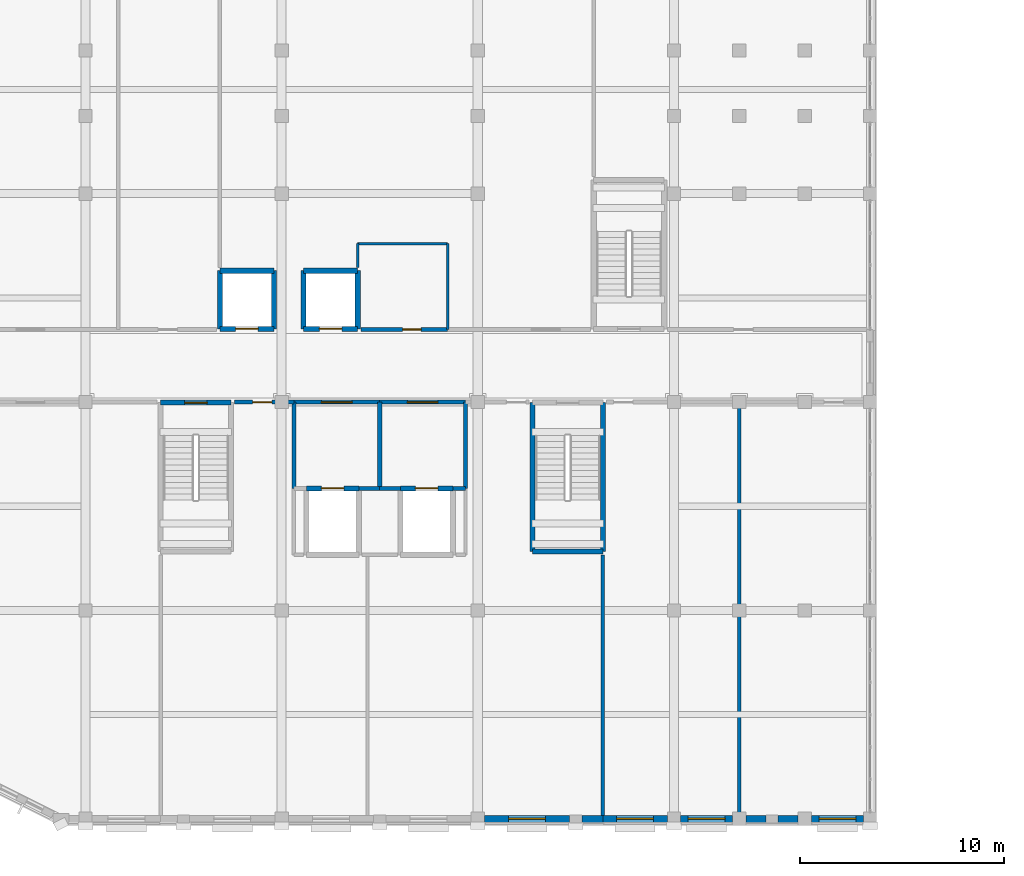
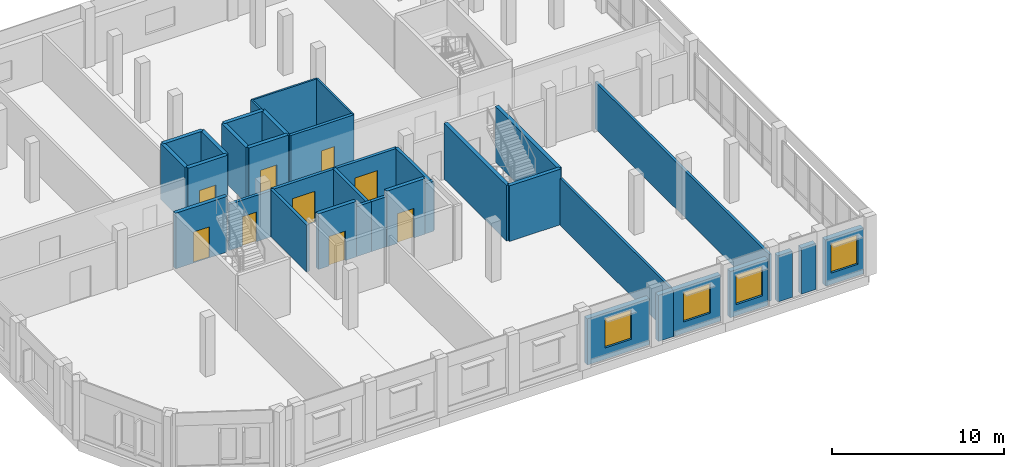
# One storey, part 178 of 200: 36 walls, 9 doors, 4 windows, 13 openings.
"""IFC4 building model written with IfcOpenShell, lengths in metres."""

from ifc_helpers import new_model, si_unit, direction, frame, frame_2d, origin, place, context, subcontext, project, spatial, rectangle, extrude, material, layer, layer_set, type_object, element, fill, save


model = new_model("IFC4")

# Units and contexts
model_context = context("Model", 3, precision=1e-05, world=origin(), true_north=direction((0.0, 1.0)))
body_context = subcontext(model_context, "Body", "Model", "MODEL_VIEW")
ifc_project = project(units=[si_unit("LENGTHUNIT", "METRE"), si_unit("AREAUNIT", "SQUARE_METRE"), si_unit("VOLUMEUNIT", "CUBIC_METRE"), si_unit("PLANEANGLEUNIT", "RADIAN"), si_unit("MASSUNIT", "GRAM", prefix="KILO")], contexts=[model_context])

# Site, building, storey
site_placement = place(None, origin())
site = spatial("IfcSite", under=ifc_project, at=site_placement, CompositionType="ELEMENT")
building_placement = place(site_placement, origin())
building = spatial("IfcBuilding", under=site, at=building_placement, Name="Vondelvale Polytechnic", CompositionType="ELEMENT")
storey_placement = place(building_placement, frame((0.0, 0.0, 13.800048828125)))
storey = spatial("IfcBuildingStorey", under=building, at=storey_placement, Name="L03", CompositionType="ELEMENT", Elevation=13.800048828125)

# Wall, opening, window
ifc_material_1 = material(Name="Amsterdam School iron-spot clinker clay brickwork", Category="masonry")
ifc_layer_1 = layer(ifc_material_1, 0.340087890625)
ifc_layer_set_1 = layer_set([ifc_layer_1], Name="WL-BRICK-340")
wall_type_1 = type_object("IfcWallType", Name="WL-BRICK-340", PredefinedType="SOLIDWALL", material=ifc_layer_set_1)
wall_1_placement = place(storey_placement, frame((33.299072265625, 0.0, 0.0), z_axis=(0.0, 0.0, 1.0), x_axis=(-1.0, 0.0, 0.0)))
wall_1 = element("IfcWall", 1, at=wall_1_placement, inside=storey, type_object=wall_type_1, Name="L03 exterior masonry facade wall", PredefinedType="SOLIDWALL", context=body_context, shape_type="SweptSolid", body=[
    extrude(rectangle(XDim=4.173095703125, YDim=0.340087890625, at=frame_2d((2.08642578125, 0.0))), origin(), (0.0, 0.0, 1.0), 3.280029296875),
])
opening_1_placement = place(wall_1_placement, frame((1.1865234375, 0.0, 0.800048828125)))
opening_1 = element("IfcOpeningElement", 2, at=opening_1_placement, cuts=wall_1, Name="Opening WN-0212", PredefinedType="OPENING", context=body_context, shape_type="SweptSolid", body=[
    extrude(rectangle(XDim=1.800048828125, YDim=2.10009765625, at=frame_2d((0.89990234375, 1.050048828125))), frame((0.0, 0.179931640625, 0.0), z_axis=(0.0, -1.0, 0.0), x_axis=(1.0, 0.0, 0.0)), (0.0, 0.0, 1.0), 0.360107421875),
])
ifc_material_2 = material(Name="Double-glazed low-E insulated architectural glass", Category="glass")
window_type = type_object("IfcWindowType", Name="WN-LAB-1800x2100", PartitioningType="SINGLE_PANEL", PredefinedType="WINDOW", material=ifc_material_2)
window_1_placement = place(opening_1_placement, origin())
window_1 = element("IfcWindow", 3, at=window_1_placement, inside=storey, type_object=window_type, Name="L03 double-glazed architectural window WN-0212", OverallHeight=2.10009765625, OverallWidth=1.800048828125, PartitioningType="SINGLE_PANEL", PredefinedType="WINDOW", context=body_context, shape_type="SweptSolid", body=[
    extrude(rectangle(XDim=1.800048828125, YDim=2.10009765625, at=frame_2d((0.89990234375, 1.050048828125))), frame((0.0, 0.030029296875, 0.0), z_axis=(0.0, -1.0, 0.0), x_axis=(1.0, 0.0, 0.0)), (0.0, 0.0, 1.0), 0.06005859375),
])
fill(opening_1, window_1)

# Wall
wall_2_placement = place(storey_placement, frame((34.925048828125, 0.0, 0.0), z_axis=(0.0, 0.0, 1.0), x_axis=(-1.0, 0.0, 0.0)))
element("IfcWall", 4, at=wall_2_placement, inside=storey, type_object=wall_type_1, Name="L03 exterior masonry facade wall", PredefinedType="SOLIDWALL", context=body_context, shape_type="SweptSolid", body=[
    extrude(rectangle(XDim=1.024169921875, YDim=0.340087890625, at=frame_2d((0.51220703125, 0.0))), origin(), (0.0, 0.0, 1.0), 3.280029296875),
])

# Wall, opening, window
wall_3_placement = place(storey_placement, frame((38.073974609375, 0.0, 0.0), z_axis=(0.0, 0.0, 1.0), x_axis=(-1.0, 0.0, 0.0)))
wall_3 = element("IfcWall", 5, at=wall_3_placement, inside=storey, type_object=wall_type_1, Name="L03 exterior masonry facade wall", PredefinedType="SOLIDWALL", context=body_context, shape_type="SweptSolid", body=[
    extrude(rectangle(XDim=3.14892578125, YDim=0.340087890625, at=frame_2d((1.574462890625, 0.0))), origin(), (0.0, 0.0, 1.0), 3.280029296875),
])
opening_2_placement = place(wall_3_placement, frame((0.674560546875, 0.0, 0.800048828125)))
opening_2 = element("IfcOpeningElement", 6, at=opening_2_placement, cuts=wall_3, Name="Opening WN-0213", PredefinedType="OPENING", context=body_context, shape_type="SweptSolid", body=[
    extrude(rectangle(XDim=1.800048828125, YDim=2.10009765625, at=frame_2d((0.89990234375, 1.050048828125))), frame((0.0, 0.179931640625, 0.0), z_axis=(0.0, -1.0, 0.0), x_axis=(1.0, 0.0, 0.0)), (0.0, 0.0, 1.0), 0.360107421875),
])
window_2_placement = place(opening_2_placement, origin())
window_2 = element("IfcWindow", 7, at=window_2_placement, inside=storey, type_object=window_type, Name="L03 double-glazed architectural window WN-0213", OverallHeight=2.10009765625, OverallWidth=1.800048828125, PartitioningType="SINGLE_PANEL", PredefinedType="WINDOW", context=body_context, shape_type="SweptSolid", body=[
    extrude(rectangle(XDim=1.800048828125, YDim=2.10009765625, at=frame_2d((0.89990234375, 1.050048828125))), frame((0.0, 0.030029296875, 0.0), z_axis=(0.0, -1.0, 0.0), x_axis=(1.0, 0.0, 0.0)), (0.0, 0.0, 1.0), 0.06005859375),
])
fill(opening_2, window_2)

# Wall
wall_4_placement = place(storey_placement, frame((42.89892578125, 0.0, 0.0), z_axis=(0.0, 0.0, 1.0), x_axis=(-1.0, 0.0, 0.0)))
element("IfcWall", 8, at=wall_4_placement, inside=storey, type_object=wall_type_1, Name="L03 exterior masonry facade wall", PredefinedType="SOLIDWALL", context=body_context, shape_type="SweptSolid", body=[
    extrude(rectangle(XDim=0.972900390625, YDim=0.340087890625, at=frame_2d((0.486328125, 0.0))), origin(), (0.0, 0.0, 1.0), 3.280029296875),
])

# Wall, opening, window
wall_5_placement = place(storey_placement, frame((41.27392578125, 0.0, 0.0), z_axis=(0.0, 0.0, 1.0), x_axis=(-1.0, 0.0, 0.0)))
wall_5 = element("IfcWall", 9, at=wall_5_placement, inside=storey, type_object=wall_type_1, Name="L03 exterior masonry facade wall", PredefinedType="SOLIDWALL", context=body_context, shape_type="SweptSolid", body=[
    extrude(rectangle(XDim=2.5478515625, YDim=0.340087890625, at=frame_2d((1.27392578125, 0.0))), origin(), (0.0, 0.0, 1.0), 3.280029296875),
])
opening_3_placement = place(wall_5_placement, frame((0.3740234375, 0.0, 0.800048828125)))
opening_3 = element("IfcOpeningElement", 10, at=opening_3_placement, cuts=wall_5, Name="Opening WN-0214", PredefinedType="OPENING", context=body_context, shape_type="SweptSolid", body=[
    extrude(rectangle(XDim=1.800048828125, YDim=2.10009765625, at=frame_2d((0.89990234375, 1.050048828125))), frame((0.0, 0.179931640625, 0.0), z_axis=(0.0, -1.0, 0.0), x_axis=(1.0, 0.0, 0.0)), (0.0, 0.0, 1.0), 0.360107421875),
])
window_3_placement = place(opening_3_placement, origin())
window_3 = element("IfcWindow", 11, at=window_3_placement, inside=storey, type_object=window_type, Name="L03 double-glazed architectural window WN-0214", OverallHeight=2.10009765625, OverallWidth=1.800048828125, PartitioningType="SINGLE_PANEL", PredefinedType="WINDOW", context=body_context, shape_type="SweptSolid", body=[
    extrude(rectangle(XDim=1.800048828125, YDim=2.10009765625, at=frame_2d((0.89990234375, 1.050048828125))), frame((0.0, 0.030029296875, 0.0), z_axis=(0.0, -1.0, 0.0), x_axis=(1.0, 0.0, 0.0)), (0.0, 0.0, 1.0), 0.06005859375),
])
fill(opening_3, window_3)

wall_6_placement = place(storey_placement, frame((47.674072265625, 0.0, 0.0), z_axis=(0.0, 0.0, 1.0), x_axis=(-1.0, 0.0, 0.0)))
wall_6 = element("IfcWall", 12, at=wall_6_placement, inside=storey, type_object=wall_type_1, Name="L03 exterior masonry facade wall", PredefinedType="SOLIDWALL", context=body_context, shape_type="SweptSolid", body=[
    extrude(rectangle(XDim=2.548095703125, YDim=0.340087890625, at=frame_2d((1.27392578125, 0.0))), origin(), (0.0, 0.0, 1.0), 3.280029296875),
])
opening_4_placement = place(wall_6_placement, frame((0.3740234375, 0.0, 0.800048828125)))
opening_4 = element("IfcOpeningElement", 13, at=opening_4_placement, cuts=wall_6, Name="Opening WN-0215", PredefinedType="OPENING", context=body_context, shape_type="SweptSolid", body=[
    extrude(rectangle(XDim=1.800048828125, YDim=2.10009765625, at=frame_2d((0.89990234375, 1.050048828125))), frame((0.0, 0.179931640625, 0.0), z_axis=(0.0, -1.0, 0.0), x_axis=(1.0, 0.0, 0.0)), (0.0, 0.0, 1.0), 0.360107421875),
])
window_4_placement = place(opening_4_placement, origin())
window_4 = element("IfcWindow", 14, at=window_4_placement, inside=storey, type_object=window_type, Name="L03 double-glazed architectural window WN-0215", OverallHeight=2.10009765625, OverallWidth=1.800048828125, PartitioningType="SINGLE_PANEL", PredefinedType="WINDOW", context=body_context, shape_type="SweptSolid", body=[
    extrude(rectangle(XDim=1.800048828125, YDim=2.10009765625, at=frame_2d((0.89990234375, 1.050048828125))), frame((0.0, 0.030029296875, 0.0), z_axis=(0.0, -1.0, 0.0), x_axis=(1.0, 0.0, 0.0)), (0.0, 0.0, 1.0), 0.06005859375),
])
fill(opening_4, window_4)

# Wall
wall_7_placement = place(storey_placement, frame((44.47412109375, 0.0, 0.0), z_axis=(0.0, 0.0, 1.0), x_axis=(-1.0, 0.0, 0.0)))
element("IfcWall", 15, at=wall_7_placement, inside=storey, type_object=wall_type_1, Name="L03 exterior masonry facade wall", PredefinedType="SOLIDWALL", context=body_context, shape_type="SweptSolid", body=[
    extrude(rectangle(XDim=0.97314453125, YDim=0.340087890625, at=frame_2d((0.486572265625, 0.0))), origin(), (0.0, 0.0, 1.0), 3.280029296875),
])

# Wall, opening, door
ifc_material_3 = material(Name="Concrete N40 (f'c = 40 MPa)", Category="concrete")
ifc_layer_2 = layer(ifc_material_3, 0.25)
ifc_layer_set_2 = layer_set([ifc_layer_2], Name="WL-CORE-250")
wall_type_2 = type_object("IfcWallType", Name="WL-CORE-250", PredefinedType="SOLIDWALL", material=ifc_layer_set_2)
wall_8_placement = place(storey_placement, frame((16.72509765625, 20.375, 0.0), z_axis=(0.0, 0.0, 1.0), x_axis=(-1.0, 0.0, 0.0)))
wall_8 = element("IfcWall", 16, at=wall_8_placement, inside=storey, type_object=wall_type_2, Name="L03 ST-03 reinforced concrete stair core wall", PredefinedType="SOLIDWALL", context=body_context, shape_type="SweptSolid", body=[
    extrude(rectangle(XDim=3.4501953125, YDim=0.25, at=frame_2d((1.72509765625, 0.0))), origin(), (0.0, 0.0, 1.0), 3.949951171875),
])
opening_5_placement = place(wall_8_placement, frame((1.175048828125, 0.0, 0.0)))
opening_5 = element("IfcOpeningElement", 17, at=opening_5_placement, cuts=wall_8, Name="Opening SD-013", PredefinedType="OPENING", context=body_context, shape_type="SweptSolid", body=[
    extrude(rectangle(XDim=1.10009765625, YDim=2.199951171875, at=frame_2d((0.550048828125, 1.10009765625))), frame((0.0, 0.135009765625, 0.0), z_axis=(0.0, -1.0, 0.0), x_axis=(1.0, 0.0, 0.0)), (0.0, 0.0, 1.0), 0.27001953125),
])
ifc_material_4 = material(Name="Brushed architectural stainless and zinc-coated metal")
door_type_1 = type_object("IfcDoorType", Name="DR-STAIR-1100x2200", OperationType="SINGLE_SWING_LEFT", PredefinedType="DOOR", material=ifc_material_4)
door_1_placement = place(opening_5_placement, origin())
door_1 = element("IfcDoor", 18, at=door_1_placement, inside=storey, type_object=door_type_1, Name="L03 ST-03 fire-isolated stair door", OperationType="SINGLE_SWING_LEFT", OverallHeight=2.199951171875, OverallWidth=1.10009765625, PredefinedType="DOOR", context=body_context, shape_type="SweptSolid", body=[
    extrude(rectangle(XDim=1.10009765625, YDim=2.199951171875, at=frame_2d((0.550048828125, 1.10009765625))), frame((0.0, 0.02490234375, 0.0), z_axis=(0.0, -1.0, 0.0), x_axis=(1.0, 0.0, 0.0)), (0.0, 0.0, 1.0), 0.050048828125),
])
fill(opening_5, door_1)

# Walls
wall_9_placement = place(storey_placement, frame((31.47509765625, 20.375, 0.0), z_axis=(0.0, 0.0, 1.0), x_axis=(0.0, -1.0, 0.0)))
element("IfcWall", 19, at=wall_9_placement, inside=storey, type_object=wall_type_2, Name="L03 ST-04 reinforced concrete stair core wall", PredefinedType="SOLIDWALL", context=body_context, shape_type="SweptSolid", body=[
    extrude(rectangle(XDim=7.300048828125, YDim=0.25, at=frame_2d((3.64990234375, 0.0))), origin(), (0.0, 0.0, 1.0), 3.949951171875),
])
wall_10_placement = place(storey_placement, frame((31.47509765625, 13.074951171875, 0.0), z_axis=(0.0, 0.0, 1.0), x_axis=(1.0, 0.0, 0.0)))
element("IfcWall", 20, at=wall_10_placement, inside=storey, type_object=wall_type_2, Name="L03 ST-04 reinforced concrete stair core wall", PredefinedType="SOLIDWALL", context=body_context, shape_type="SweptSolid", body=[
    extrude(rectangle(XDim=3.449951171875, YDim=0.25, at=frame_2d((1.72509765625, 0.0))), origin(), (0.0, 0.0, 1.0), 3.949951171875),
])
wall_11_placement = place(storey_placement, frame((34.925048828125, 13.074951171875, 0.0), z_axis=(0.0, 0.0, 1.0), x_axis=(0.0, 1.0, 0.0)))
element("IfcWall", 21, at=wall_11_placement, inside=storey, type_object=wall_type_2, Name="L03 ST-04 reinforced concrete stair core wall", PredefinedType="SOLIDWALL", context=body_context, shape_type="SweptSolid", body=[
    extrude(rectangle(XDim=7.300048828125, YDim=0.25, at=frame_2d((3.64990234375, 0.0))), origin(), (0.0, 0.0, 1.0), 3.949951171875),
])

# Wall, opening, door
ifc_material_5 = material(Name="Fire-rated double-layer plasterboard stud partition")
ifc_layer_3 = layer(ifc_material_5, 0.199951171875)
ifc_layer_set_3 = layer_set([ifc_layer_3], Name="WL-CORR-200")
wall_type_3 = type_object("IfcWallType", Name="WL-CORR-200", PredefinedType="PARTITIONING", material=ifc_layer_set_3)
wall_12_placement = place(storey_placement, frame((19.800048828125, 20.39990234375, 0.0), z_axis=(0.0, 0.0, 1.0), x_axis=(1.0, 0.0, 0.0)))
wall_12 = element("IfcWall", 22, at=wall_12_placement, inside=storey, type_object=wall_type_3, Name="L03 EL-01 fire-isolated lift lobby wall", PredefinedType="PARTITIONING", context=body_context, shape_type="SweptSolid", body=[
    extrude(rectangle(XDim=4.199951171875, YDim=0.199951171875, at=frame_2d((2.10009765625, 0.0))), origin(), (0.0, 0.0, 1.0), 3.329833984375),
])
opening_6_placement = place(wall_12_placement, frame((1.35009765625, 0.0, 0.0)))
opening_6 = element("IfcOpeningElement", 23, at=opening_6_placement, cuts=wall_12, Name="Opening LBD-060", PredefinedType="OPENING", context=body_context, shape_type="SweptSolid", body=[
    extrude(rectangle(XDim=1.5, YDim=2.199951171875, at=frame_2d((0.75, 1.10009765625))), frame((0.0, 0.10986328125, 0.0), z_axis=(0.0, -1.0, 0.0), x_axis=(1.0, 0.0, 0.0)), (0.0, 0.0, 1.0), 0.219970703125),
])
ifc_material_6 = material(Name="Engineered Tasmanian oak studio and bridge joinery")
door_type_2 = type_object("IfcDoorType", Name="DR-LOBBY-1500x2200", OperationType="DOUBLE_DOOR_SINGLE_SWING", PredefinedType="DOOR", material=ifc_material_6)
door_2_placement = place(opening_6_placement, origin())
door_2 = element("IfcDoor", 24, at=door_2_placement, inside=storey, type_object=door_type_2, Name="L03 EL-01 firefighting lobby smoke door", OperationType="SINGLE_SWING_LEFT", OverallHeight=2.199951171875, OverallWidth=1.5, PredefinedType="DOOR", context=body_context, shape_type="SweptSolid", body=[
    extrude(rectangle(XDim=1.5, YDim=2.199951171875, at=frame_2d((0.75, 1.10009765625))), frame((0.0, 0.02490234375, 0.0), z_axis=(0.0, -1.0, 0.0), x_axis=(1.0, 0.0, 0.0)), (0.0, 0.0, 1.0), 0.050048828125),
])
fill(opening_6, door_2)

# Walls
for number, where, z_axis, x_axis, name in (
    (25, (19.800048828125, 16.175048828125, 0.0), (0.0, 0.0, 1.0), (0.0, 1.0, 0.0), "L03 EL-01 fire-isolated lift lobby wall"),
    (26, (24.0, 16.175048828125, 0.0), (0.0, 0.0, 1.0), (0.0, 1.0, 0.0), "L03 EL-01 fire-isolated lift lobby wall"),
):
    element("IfcWall", number, at=place(storey_placement, frame(where, z_axis=z_axis, x_axis=x_axis)), inside=storey, type_object=wall_type_3, Name=name, PredefinedType="PARTITIONING", context=body_context, shape_type="SweptSolid", body=[
        extrude(rectangle(XDim=4.224853515625, YDim=0.199951171875, at=frame_2d((2.1123046875, 0.0))), origin(), (0.0, 0.0, 1.0), 3.329833984375),
    ])
wall_13_placement = place(storey_placement, frame((22.97509765625, 16.175048828125, 0.0), z_axis=(0.0, 0.0, 1.0), x_axis=(1.0, 0.0, 0.0)))
element("IfcWall", 27, at=wall_13_placement, inside=storey, type_object=wall_type_3, Name="L03 EL-01 fire-isolated lift lobby wall", PredefinedType="PARTITIONING", context=body_context, shape_type="SweptSolid", body=[
    extrude(rectangle(XDim=1.02490234375, YDim=0.199951171875, at=frame_2d((0.512451171875, 0.0))), origin(), (0.0, 0.0, 1.0), 3.550048828125),
])

# Wall, opening, door
wall_14_placement = place(storey_placement, frame((24.0, 20.39990234375, 0.0), z_axis=(0.0, 0.0, 1.0), x_axis=(1.0, 0.0, 0.0)))
wall_14 = element("IfcWall", 28, at=wall_14_placement, inside=storey, type_object=wall_type_3, Name="L03 EL-02 fire-isolated lift lobby wall", PredefinedType="PARTITIONING", context=body_context, shape_type="SweptSolid", body=[
    extrude(rectangle(XDim=4.199951171875, YDim=0.199951171875, at=frame_2d((2.10009765625, 0.0))), origin(), (0.0, 0.0, 1.0), 3.329833984375),
])
opening_7_placement = place(wall_14_placement, frame((1.35009765625, 0.0, 0.0)))
opening_7 = element("IfcOpeningElement", 29, at=opening_7_placement, cuts=wall_14, Name="Opening LBD-069", PredefinedType="OPENING", context=body_context, shape_type="SweptSolid", body=[
    extrude(rectangle(XDim=1.5, YDim=2.199951171875, at=frame_2d((0.75, 1.10009765625))), frame((0.0, 0.10986328125, 0.0), z_axis=(0.0, -1.0, 0.0), x_axis=(1.0, 0.0, 0.0)), (0.0, 0.0, 1.0), 0.219970703125),
])
door_3_placement = place(opening_7_placement, origin())
door_3 = element("IfcDoor", 30, at=door_3_placement, inside=storey, type_object=door_type_2, Name="L03 EL-02 firefighting lobby smoke door", OperationType="SINGLE_SWING_LEFT", OverallHeight=2.199951171875, OverallWidth=1.5, PredefinedType="DOOR", context=body_context, shape_type="SweptSolid", body=[
    extrude(rectangle(XDim=1.5, YDim=2.199951171875, at=frame_2d((0.75, 1.10009765625))), frame((0.0, 0.02490234375, 0.0), z_axis=(0.0, -1.0, 0.0), x_axis=(1.0, 0.0, 0.0)), (0.0, 0.0, 1.0), 0.050048828125),
])
fill(opening_7, door_3)

# Walls
wall_15_placement = place(storey_placement, frame((28.199951171875, 16.175048828125, 0.0), z_axis=(0.0, 0.0, 1.0), x_axis=(0.0, 1.0, 0.0)))
element("IfcWall", 31, at=wall_15_placement, inside=storey, type_object=wall_type_3, Name="L03 EL-02 fire-isolated lift lobby wall", PredefinedType="PARTITIONING", context=body_context, shape_type="SweptSolid", body=[
    extrude(rectangle(XDim=4.224853515625, YDim=0.199951171875, at=frame_2d((2.1123046875, 0.0))), origin(), (0.0, 0.0, 1.0), 3.329833984375),
])
wall_16_placement = place(storey_placement, frame((24.0, 16.175048828125, 0.0), z_axis=(0.0, 0.0, 1.0), x_axis=(1.0, 0.0, 0.0)))
element("IfcWall", 32, at=wall_16_placement, inside=storey, type_object=wall_type_3, Name="L03 EL-02 fire-isolated lift lobby wall", PredefinedType="PARTITIONING", context=body_context, shape_type="SweptSolid", body=[
    extrude(rectangle(XDim=1.02490234375, YDim=0.199951171875, at=frame_2d((0.512451171875, 0.0))), origin(), (0.0, 0.0, 1.0), 3.550048828125),
])
wall_17_placement = place(storey_placement, frame((27.574951171875, 16.175048828125, 0.0), z_axis=(0.0, 0.0, 1.0), x_axis=(1.0, 0.0, 0.0)))
element("IfcWall", 33, at=wall_17_placement, inside=storey, type_object=wall_type_3, Name="L03 EL-02 fire-isolated lift lobby wall", PredefinedType="PARTITIONING", context=body_context, shape_type="SweptSolid", body=[
    extrude(rectangle(XDim=0.625, YDim=0.199951171875, at=frame_2d((0.3125, 0.0))), origin(), (0.0, 0.0, 1.0), 3.550048828125),
])

# Wall, opening, door
wall_18_placement = place(storey_placement, frame((16.889892578125, 20.39990234375, 0.0), z_axis=(0.0, 0.0, 1.0), x_axis=(1.0, 0.0, 0.0)))
wall_18 = element("IfcWall", 34, at=wall_18_placement, inside=storey, type_object=wall_type_3, Name="L03 interior acoustic partition", PredefinedType="PARTITIONING", context=body_context, shape_type="SweptSolid", body=[
    extrude(rectangle(XDim=2.91015625, YDim=0.199951171875, at=frame_2d((1.455078125, 0.0))), origin(), (0.0, 0.0, 1.0), 3.280029296875),
])
opening_8_placement = place(wall_18_placement, frame((0.885009765625, 0.0, 0.0)))
opening_8 = element("IfcOpeningElement", 35, at=opening_8_placement, cuts=wall_18, Name="Opening ID-0168", PredefinedType="OPENING", context=body_context, shape_type="SweptSolid", body=[
    extrude(rectangle(XDim=0.949951171875, YDim=2.10009765625, at=frame_2d((0.47509765625, 1.050048828125))), frame((0.0, 0.10986328125, 0.0), z_axis=(0.0, -1.0, 0.0), x_axis=(1.0, 0.0, 0.0)), (0.0, 0.0, 1.0), 0.219970703125),
])
ifc_material_7 = material(Name="Fire-rated solid Tasmanian oak joinery")
door_type_3 = type_object("IfcDoorType", Name="DR-INT-0950x2100", OperationType="SINGLE_SWING_LEFT", PredefinedType="DOOR", material=ifc_material_7)
door_4_placement = place(opening_8_placement, origin())
door_4 = element("IfcDoor", 36, at=door_4_placement, inside=storey, type_object=door_type_3, Name="L03 interior room door ID-0168", OperationType="SINGLE_SWING_RIGHT", OverallHeight=2.10009765625, OverallWidth=0.949951171875, PredefinedType="DOOR", context=body_context, shape_type="SweptSolid", body=[
    extrude(rectangle(XDim=0.949951171875, YDim=2.10009765625, at=frame_2d((0.47509765625, 1.050048828125))), frame((0.0, 0.02490234375, 0.0), z_axis=(0.0, -1.0, 0.0), x_axis=(1.0, 0.0, 0.0)), (0.0, 0.0, 1.0), 0.050048828125),
])
fill(opening_8, door_4)

wall_19_placement = place(storey_placement, frame((23.090087890625, 23.949951171875, 0.0), z_axis=(0.0, 0.0, 1.0), x_axis=(1.0, 0.0, 0.0)))
wall_19 = element("IfcWall", 37, at=wall_19_placement, inside=storey, type_object=wall_type_3, Name="L03 interior acoustic partition", PredefinedType="PARTITIONING", context=body_context, shape_type="SweptSolid", body=[
    extrude(rectangle(XDim=4.23486328125, YDim=0.199951171875, at=frame_2d((2.117431640625, 0.0))), origin(), (0.0, 0.0, 1.0), 3.849853515625),
])
opening_9_placement = place(wall_19_placement, frame((2.034912109375, 0.0, 0.0)))
opening_9 = element("IfcOpeningElement", 38, at=opening_9_placement, cuts=wall_19, Name="Opening ID-0172", PredefinedType="OPENING", context=body_context, shape_type="SweptSolid", body=[
    extrude(rectangle(XDim=0.89990234375, YDim=2.050048828125, at=frame_2d((0.449951171875, 1.02490234375))), frame((0.0, 0.10986328125, 0.0), z_axis=(0.0, -1.0, 0.0), x_axis=(1.0, 0.0, 0.0)), (0.0, 0.0, 1.0), 0.219970703125),
])
door_type_4 = type_object("IfcDoorType", Name="DR-WC-0900x2050", OperationType="SINGLE_SWING_RIGHT", PredefinedType="DOOR", material=ifc_material_7)
door_5_placement = place(opening_9_placement, origin())
door_5 = element("IfcDoor", 39, at=door_5_placement, inside=storey, type_object=door_type_4, Name="L03 interior room door ID-0172", OperationType="SINGLE_SWING_RIGHT", OverallHeight=2.050048828125, OverallWidth=0.89990234375, PredefinedType="DOOR", context=body_context, shape_type="SweptSolid", body=[
    extrude(rectangle(XDim=0.89990234375, YDim=2.050048828125, at=frame_2d((0.449951171875, 1.02490234375))), frame((0.0, 0.02490234375, 0.0), z_axis=(0.0, -1.0, 0.0), x_axis=(1.0, 0.0, 0.0)), (0.0, 0.0, 1.0), 0.050048828125),
])
fill(opening_9, door_5)

# Walls
ifc_layer_4 = layer(ifc_material_5, 0.1201171875)
ifc_layer_set_4 = layer_set([ifc_layer_4], Name="WL-INT-120")
wall_type_4 = type_object("IfcWallType", Name="WL-INT-120", PredefinedType="PARTITIONING", material=ifc_layer_set_4)
wall_20_placement = place(storey_placement, frame((22.925048828125, 26.989990234375, 0.0), z_axis=(0.0, 0.0, 1.0), x_axis=(0.0, 1.0, 0.0)))
element("IfcWall", 40, at=wall_20_placement, inside=storey, type_object=wall_type_4, Name="L03 interior acoustic partition", PredefinedType="PARTITIONING", context=body_context, shape_type="SweptSolid", body=[
    extrude(rectangle(XDim=1.159912109375, YDim=0.1201171875, at=frame_2d((0.580078125, 0.0))), origin(), (0.0, 0.0, 1.0), 3.849853515625),
])
wall_21_placement = place(storey_placement, frame((22.925048828125, 28.14990234375, 0.0), z_axis=(0.0, 0.0, 1.0), x_axis=(1.0, 0.0, 0.0)))
element("IfcWall", 41, at=wall_21_placement, inside=storey, type_object=wall_type_4, Name="L03 interior acoustic partition", PredefinedType="PARTITIONING", context=body_context, shape_type="SweptSolid", body=[
    extrude(rectangle(XDim=4.39990234375, YDim=0.1201171875, at=frame_2d((2.199951171875, 0.0))), origin(), (0.0, 0.0, 1.0), 3.849853515625),
])
wall_22_placement = place(storey_placement, frame((27.324951171875, 23.949951171875, 0.0), z_axis=(0.0, 0.0, 1.0), x_axis=(0.0, 1.0, 0.0)))
element("IfcWall", 42, at=wall_22_placement, inside=storey, type_object=wall_type_4, Name="L03 interior acoustic partition", PredefinedType="PARTITIONING", context=body_context, shape_type="SweptSolid", body=[
    extrude(rectangle(XDim=4.199951171875, YDim=0.1201171875, at=frame_2d((2.10009765625, 0.0))), origin(), (0.0, 0.0, 1.0), 3.849853515625),
])
ifc_layer_5 = layer(ifc_material_5, 0.1650390625)
ifc_layer_set_5 = layer_set([ifc_layer_5], Name="WL-INT-165")
wall_type_5 = type_object("IfcWallType", Name="WL-INT-165", PredefinedType="PARTITIONING", material=ifc_layer_set_5)
wall_23_placement = place(storey_placement, frame((34.925048828125, 0.14990234375, 0.0), z_axis=(0.0, 0.0, 1.0), x_axis=(0.0, 1.0, 0.0)))
element("IfcWall", 43, at=wall_23_placement, inside=storey, type_object=wall_type_5, Name="L03 interior acoustic partition", PredefinedType="PARTITIONING", context=body_context, shape_type="SweptSolid", body=[
    extrude(rectangle(XDim=12.760009765625, YDim=0.1650390625, at=frame_2d((6.3798828125, 0.0))), origin(), (0.0, 0.0, 1.0), 3.329833984375),
])
wall_24_placement = place(storey_placement, frame((41.60009765625, 0.14990234375, 0.0), z_axis=(0.0, 0.0, 1.0), x_axis=(0.0, 1.0, 0.0)))
element("IfcWall", 44, at=wall_24_placement, inside=storey, type_object=wall_type_5, Name="L03 interior acoustic partition", PredefinedType="PARTITIONING", context=body_context, shape_type="SweptSolid", body=[
    extrude(rectangle(XDim=20.25, YDim=0.1650390625, at=frame_2d((10.125, 0.0))), origin(), (0.0, 0.0, 1.0), 3.329833984375),
])

# Wall, opening, door
ifc_layer_6 = layer(ifc_material_3, 0.25)
ifc_layer_set_6 = layer_set([ifc_layer_6], Name="WL-SHAFT-250")
wall_type_6 = type_object("IfcWallType", Name="WL-SHAFT-250", PredefinedType="SOLIDWALL", material=ifc_layer_set_6)
wall_25_placement = place(storey_placement, frame((22.97509765625, 16.175048828125, 0.0), z_axis=(0.0, 0.0, 1.0), x_axis=(-1.0, 0.0, 0.0)))
wall_25 = element("IfcWall", 45, at=wall_25_placement, inside=storey, type_object=wall_type_6, Name="L03 EL-01 lift shaft wall N", PredefinedType="SOLIDWALL", context=body_context, shape_type="SweptSolid", body=[
    extrude(rectangle(XDim=2.550048828125, YDim=0.25, at=frame_2d((1.27490234375, 0.0))), origin(), (0.0, 0.0, 1.0), 3.949951171875),
])
opening_10_placement = place(wall_25_placement, frame((0.72509765625, 0.0, 0.0)))
opening_10 = element("IfcOpeningElement", 46, at=opening_10_placement, cuts=wall_25, Name="Opening LD-005", PredefinedType="OPENING", context=body_context, shape_type="SweptSolid", body=[
    extrude(rectangle(XDim=1.10009765625, YDim=2.10009765625, at=frame_2d((0.550048828125, 1.050048828125))), frame((0.0, 0.135009765625, 0.0), z_axis=(0.0, -1.0, 0.0), x_axis=(1.0, 0.0, 0.0)), (0.0, 0.0, 1.0), 0.27001953125),
])
door_type_5 = type_object("IfcDoorType", Name="DR-LIFT-1100x2100", OperationType="SLIDING_TO_LEFT", PredefinedType="DOOR", material=ifc_material_4)
door_6_placement = place(opening_10_placement, origin())
door_6 = element("IfcDoor", 47, at=door_6_placement, inside=storey, type_object=door_type_5, Name="L03 EL-01 sliding lift landing door", OperationType="SLIDING_TO_LEFT", OverallHeight=2.10009765625, OverallWidth=1.10009765625, PredefinedType="DOOR", context=body_context, shape_type="SweptSolid", body=[
    extrude(rectangle(XDim=1.10009765625, YDim=2.10009765625, at=frame_2d((0.550048828125, 1.050048828125))), frame((0.0, 0.02490234375, 0.0), z_axis=(0.0, -1.0, 0.0), x_axis=(1.0, 0.0, 0.0)), (0.0, 0.0, 1.0), 0.050048828125),
])
fill(opening_10, door_6)

wall_26_placement = place(storey_placement, frame((27.574951171875, 16.175048828125, 0.0), z_axis=(0.0, 0.0, 1.0), x_axis=(-1.0, 0.0, 0.0)))
wall_26 = element("IfcWall", 48, at=wall_26_placement, inside=storey, type_object=wall_type_6, Name="L03 EL-02 lift shaft wall N", PredefinedType="SOLIDWALL", context=body_context, shape_type="SweptSolid", body=[
    extrude(rectangle(XDim=2.550048828125, YDim=0.25, at=frame_2d((1.27490234375, 0.0))), origin(), (0.0, 0.0, 1.0), 3.949951171875),
])
opening_11_placement = place(wall_26_placement, frame((0.72509765625, 0.0, 0.0)))
opening_11 = element("IfcOpeningElement", 49, at=opening_11_placement, cuts=wall_26, Name="Opening LD-014", PredefinedType="OPENING", context=body_context, shape_type="SweptSolid", body=[
    extrude(rectangle(XDim=1.10009765625, YDim=2.10009765625, at=frame_2d((0.550048828125, 1.050048828125))), frame((0.0, 0.135009765625, 0.0), z_axis=(0.0, -1.0, 0.0), x_axis=(1.0, 0.0, 0.0)), (0.0, 0.0, 1.0), 0.27001953125),
])
door_7_placement = place(opening_11_placement, origin())
door_7 = element("IfcDoor", 50, at=door_7_placement, inside=storey, type_object=door_type_5, Name="L03 EL-02 sliding lift landing door", OperationType="SLIDING_TO_LEFT", OverallHeight=2.10009765625, OverallWidth=1.10009765625, PredefinedType="DOOR", context=body_context, shape_type="SweptSolid", body=[
    extrude(rectangle(XDim=1.10009765625, YDim=2.10009765625, at=frame_2d((0.550048828125, 1.050048828125))), frame((0.0, 0.02490234375, 0.0), z_axis=(0.0, -1.0, 0.0), x_axis=(1.0, 0.0, 0.0)), (0.0, 0.0, 1.0), 0.050048828125),
])
fill(opening_11, door_7)

wall_27_placement = place(storey_placement, frame((16.175048828125, 23.97509765625, 0.0), z_axis=(0.0, 0.0, 1.0), x_axis=(1.0, 0.0, 0.0)))
wall_27 = element("IfcWall", 51, at=wall_27_placement, inside=storey, type_object=wall_type_6, Name="L03 PL-01 lift shaft wall S", PredefinedType="SOLIDWALL", context=body_context, shape_type="SweptSolid", body=[
    extrude(rectangle(XDim=2.64990234375, YDim=0.25, at=frame_2d((1.324951171875, 0.0))), origin(), (0.0, 0.0, 1.0), 3.949951171875),
])
opening_12_placement = place(wall_27_placement, frame((0.77490234375, 0.0, 0.0)))
opening_12 = element("IfcOpeningElement", 52, at=opening_12_placement, cuts=wall_27, Name="Opening LD-023", PredefinedType="OPENING", context=body_context, shape_type="SweptSolid", body=[
    extrude(rectangle(XDim=1.10009765625, YDim=2.10009765625, at=frame_2d((0.550048828125, 1.050048828125))), frame((0.0, 0.135009765625, 0.0), z_axis=(0.0, -1.0, 0.0), x_axis=(1.0, 0.0, 0.0)), (0.0, 0.0, 1.0), 0.27001953125),
])
door_8_placement = place(opening_12_placement, origin())
door_8 = element("IfcDoor", 53, at=door_8_placement, inside=storey, type_object=door_type_5, Name="L03 PL-01 sliding lift landing door", OperationType="SLIDING_TO_LEFT", OverallHeight=2.10009765625, OverallWidth=1.10009765625, PredefinedType="DOOR", context=body_context, shape_type="SweptSolid", body=[
    extrude(rectangle(XDim=1.10009765625, YDim=2.10009765625, at=frame_2d((0.550048828125, 1.050048828125))), frame((0.0, 0.02490234375, 0.0), z_axis=(0.0, -1.0, 0.0), x_axis=(1.0, 0.0, 0.0)), (0.0, 0.0, 1.0), 0.050048828125),
])
fill(opening_12, door_8)

# Walls
wall_28_placement = place(storey_placement, frame((18.824951171875, 23.97509765625, 0.0), z_axis=(0.0, 0.0, 1.0), x_axis=(0.0, 1.0, 0.0)))
element("IfcWall", 54, at=wall_28_placement, inside=storey, type_object=wall_type_6, Name="L03 PL-01 lift shaft wall E", PredefinedType="SOLIDWALL", context=body_context, shape_type="SweptSolid", body=[
    extrude(rectangle(XDim=2.849853515625, YDim=0.25, at=frame_2d((1.4248046875, 0.0))), origin(), (0.0, 0.0, 1.0), 3.949951171875),
])
wall_29_placement = place(storey_placement, frame((18.824951171875, 26.824951171875, 0.0), z_axis=(0.0, 0.0, 1.0), x_axis=(-1.0, 0.0, 0.0)))
element("IfcWall", 55, at=wall_29_placement, inside=storey, type_object=wall_type_6, Name="L03 PL-01 lift shaft wall N", PredefinedType="SOLIDWALL", context=body_context, shape_type="SweptSolid", body=[
    extrude(rectangle(XDim=2.64990234375, YDim=0.25, at=frame_2d((1.324951171875, 0.0))), origin(), (0.0, 0.0, 1.0), 3.949951171875),
])
wall_30_placement = place(storey_placement, frame((16.175048828125, 26.824951171875, 0.0), z_axis=(0.0, 0.0, 1.0), x_axis=(0.0, -1.0, 0.0)))
element("IfcWall", 56, at=wall_30_placement, inside=storey, type_object=wall_type_6, Name="L03 PL-01 lift shaft wall W", PredefinedType="SOLIDWALL", context=body_context, shape_type="SweptSolid", body=[
    extrude(rectangle(XDim=2.849853515625, YDim=0.25, at=frame_2d((1.4248046875, 0.0))), origin(), (0.0, 0.0, 1.0), 3.949951171875),
])

# Wall, opening, door
wall_31_placement = place(storey_placement, frame((20.27490234375, 23.97509765625, 0.0), z_axis=(0.0, 0.0, 1.0), x_axis=(1.0, 0.0, 0.0)))
wall_31 = element("IfcWall", 57, at=wall_31_placement, inside=storey, type_object=wall_type_6, Name="L03 PL-02 lift shaft wall S", PredefinedType="SOLIDWALL", context=body_context, shape_type="SweptSolid", body=[
    extrude(rectangle(XDim=2.650146484375, YDim=0.25, at=frame_2d((1.3251953125, 0.0))), origin(), (0.0, 0.0, 1.0), 3.949951171875),
])
opening_13_placement = place(wall_31_placement, frame((0.77490234375, 0.0, 0.0)))
opening_13 = element("IfcOpeningElement", 58, at=opening_13_placement, cuts=wall_31, Name="Opening LD-032", PredefinedType="OPENING", context=body_context, shape_type="SweptSolid", body=[
    extrude(rectangle(XDim=1.10009765625, YDim=2.10009765625, at=frame_2d((0.550048828125, 1.050048828125))), frame((0.0, 0.135009765625, 0.0), z_axis=(0.0, -1.0, 0.0), x_axis=(1.0, 0.0, 0.0)), (0.0, 0.0, 1.0), 0.27001953125),
])
door_9_placement = place(opening_13_placement, origin())
door_9 = element("IfcDoor", 59, at=door_9_placement, inside=storey, type_object=door_type_5, Name="L03 PL-02 sliding lift landing door", OperationType="SLIDING_TO_LEFT", OverallHeight=2.10009765625, OverallWidth=1.10009765625, PredefinedType="DOOR", context=body_context, shape_type="SweptSolid", body=[
    extrude(rectangle(XDim=1.10009765625, YDim=2.10009765625, at=frame_2d((0.550048828125, 1.050048828125))), frame((0.0, 0.02490234375, 0.0), z_axis=(0.0, -1.0, 0.0), x_axis=(1.0, 0.0, 0.0)), (0.0, 0.0, 1.0), 0.050048828125),
])
fill(opening_13, door_9)

# Walls
wall_32_placement = place(storey_placement, frame((22.925048828125, 23.97509765625, 0.0), z_axis=(0.0, 0.0, 1.0), x_axis=(0.0, 1.0, 0.0)))
element("IfcWall", 60, at=wall_32_placement, inside=storey, type_object=wall_type_6, Name="L03 PL-02 lift shaft wall E", PredefinedType="SOLIDWALL", context=body_context, shape_type="SweptSolid", body=[
    extrude(rectangle(XDim=2.849853515625, YDim=0.25, at=frame_2d((1.4248046875, 0.0))), origin(), (0.0, 0.0, 1.0), 3.949951171875),
])
wall_33_placement = place(storey_placement, frame((22.925048828125, 26.824951171875, 0.0), z_axis=(0.0, 0.0, 1.0), x_axis=(-1.0, 0.0, 0.0)))
element("IfcWall", 61, at=wall_33_placement, inside=storey, type_object=wall_type_6, Name="L03 PL-02 lift shaft wall N", PredefinedType="SOLIDWALL", context=body_context, shape_type="SweptSolid", body=[
    extrude(rectangle(XDim=2.650146484375, YDim=0.25, at=frame_2d((1.3251953125, 0.0))), origin(), (0.0, 0.0, 1.0), 3.949951171875),
])
wall_34_placement = place(storey_placement, frame((20.27490234375, 26.824951171875, 0.0), z_axis=(0.0, 0.0, 1.0), x_axis=(0.0, -1.0, 0.0)))
element("IfcWall", 62, at=wall_34_placement, inside=storey, type_object=wall_type_6, Name="L03 PL-02 lift shaft wall W", PredefinedType="SOLIDWALL", context=body_context, shape_type="SweptSolid", body=[
    extrude(rectangle(XDim=2.849853515625, YDim=0.25, at=frame_2d((1.4248046875, 0.0))), origin(), (0.0, 0.0, 1.0), 3.949951171875),
])

save(model, "model.ifc")
